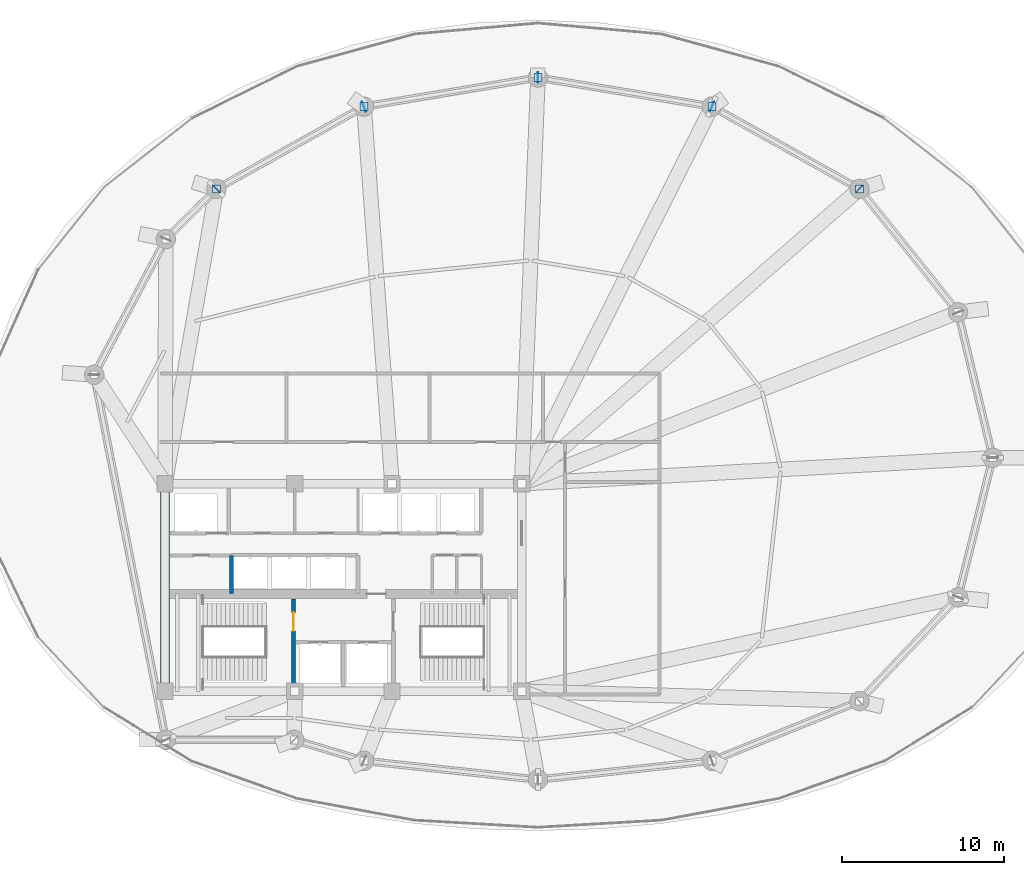
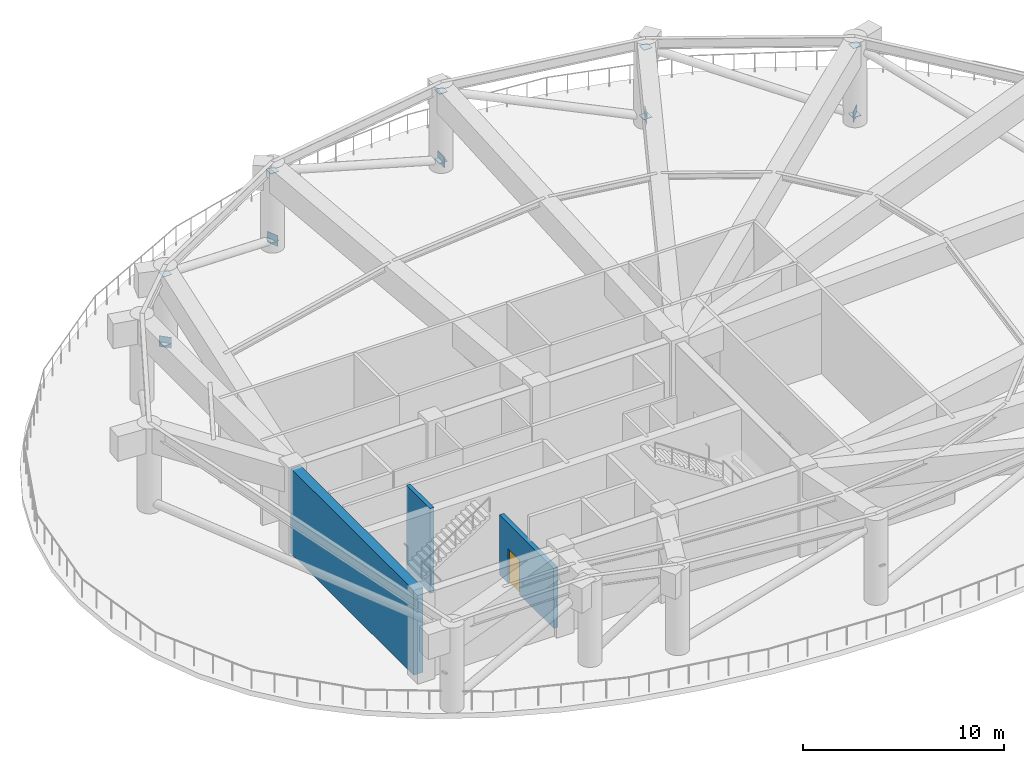
# One storey, part 5 of 9: 15 plates, 3 walls, 1 door, 1 opening.
"""IFC4 building model written with IfcOpenShell, lengths in metres."""

from ifc_helpers import new_model, si_unit, direction, frame, frame_2d, origin, origin_2d, place, context, subcontext, project, spatial, rectangle, extrude, material, layer, layer_set, type_object, element, fill, save


model = new_model("IFC4")

# Units and contexts
model_context = context("Model", 3, precision=1e-05, world=origin(), true_north=direction((0.0, 1.0)))
body_context = subcontext(model_context, "Body", "Model", "MODEL_VIEW")
ifc_project = project(units=[si_unit("LENGTHUNIT", "METRE"), si_unit("AREAUNIT", "SQUARE_METRE"), si_unit("VOLUMEUNIT", "CUBIC_METRE"), si_unit("PLANEANGLEUNIT", "RADIAN"), si_unit("MASSUNIT", "GRAM", prefix="KILO")], contexts=[model_context])

# Site, building, storey
site_placement = place(None, origin())
site = spatial("IfcSite", under=ifc_project, at=site_placement, CompositionType="ELEMENT")
building_placement = place(site_placement, origin())
building = spatial("IfcBuilding", under=site, at=building_placement, Name="Kazevale Care Tower and Concert Hall", CompositionType="ELEMENT")
storey_placement = place(building_placement, frame((0.0, 0.0, 181.800048828125)))
storey = spatial("IfcBuildingStorey", under=building, at=storey_placement, Name="L48", CompositionType="ELEMENT", Elevation=181.800048828125)

# Plates
ifc_material_1 = material(Name="Steel ASTM A572 Gr 50", Category="steel")
ifc_layer_1 = layer(ifc_material_1, 0.02490234375)
ifc_layer_set_1 = layer_set([ifc_layer_1], Name="Steel ASTM A572 Gr 50")
plate_type_1 = type_object("IfcPlateType", Name="Hollow Section End Cap Plate 25mm", PredefinedType="USERDEFINED", material=ifc_layer_set_1)
for number, where, z_axis, x_axis, name in (
    (1, (64.830078125, 54.580078125, 4.597412109375), (0.0, 0.0, 1.0), (1.0, 0.0, 0.0), "brace:L48:belt:02:cap1"),
    (2, (64.830078125, 54.580078125, 0.387451171875), (0.0, 0.0, 1.0), (1.0, 0.0, 0.0), "brace:L48:belt:03:cap0"),
    (3, (55.72998046875, 59.659912109375, 4.597412109375), (0.0, 0.0, 1.0), (1.0, 0.0, 0.0), "brace:L48:belt:03:cap1"),
    (4, (55.72998046875, 59.659912109375, 0.387451171875), (0.0, 0.0, 1.0), (1.0, 0.0, 0.0), "brace:L48:belt:04:cap0"),
    (5, (45.0, 61.449951171875, 4.597412109375), (0.0, 0.0, 1.0), (1.0, 0.0, 0.0), "brace:L48:belt:04:cap1"),
    (6, (45.0, 61.449951171875, 0.387451171875), (0.0, 0.0, 1.0), (1.0, 0.0, 0.0), "brace:L48:belt:05:cap0"),
    (7, (34.27001953125, 59.659912109375, 4.597412109375), (0.0, 0.0, 1.0), (1.0, 0.0, 0.0), "brace:L48:belt:05:cap1"),
    (8, (34.27001953125, 59.659912109375, 0.387451171875), (0.0, 0.0, 1.0), (1.0, 0.0, 0.0), "brace:L48:belt:06:cap0"),
    (9, (25.169921875, 54.580078125, 4.597412109375), (0.0, 0.0, 1.0), (1.0, 0.0, 0.0), "brace:L48:belt:06:cap1"),
    (10, (25.169921875, 54.580078125, 0.387451171875), (0.0, 0.0, 1.0), (1.0, 0.0, 0.0), "brace:L48:belt:07:cap0"),
):
    element("IfcPlate", number, at=place(storey_placement, frame(where, z_axis=z_axis, x_axis=x_axis)), inside=storey, type_object=plate_type_1, Name=name, ObjectType="END_CAP_PLATE", PredefinedType="USERDEFINED", context=body_context, shape_type="SweptSolid", body=[
        extrude(rectangle(XDim=0.47998046875, YDim=0.47998046875, at=origin_2d()), origin(), (0.0, 0.0, 1.0), 0.02490234375),
    ])
ifc_layer_2 = layer(ifc_material_1, 0.0400390625)
ifc_layer_set_2 = layer_set([ifc_layer_2], Name="Steel ASTM A572 Gr 50")
plate_type_2 = type_object("IfcPlateType", Name="Outrigger & Truss Gusset Plate 40mm", PredefinedType="USERDEFINED", material=ifc_layer_set_2)
for number, where, z_axis, x_axis, name in (
    (11, (64.830078125, 54.580078125, 0.125), (0.0, 0.0, 1.0), (0.707106781187, 0.707106781187, 0.0), "plate:L48:gusset:03"),
    (12, (55.72998046875, 59.659912109375, 0.125), (0.0, 0.0, 1.0), (0.382683432365, 0.923879532511, 0.0), "plate:L48:gusset:04"),
    (13, (45.0, 61.449951171875, 0.125), (0.0, 0.0, 1.0), (0.0, 1.0, 0.0), "plate:L48:gusset:05"),
    (14, (34.27001953125, 59.659912109375, 0.125), (0.0, 0.0, 1.0), (-0.382683432365, 0.923879532511, 0.0), "plate:L48:gusset:06"),
    (15, (25.169921875, 54.580078125, 0.125), (0.0, 0.0, 1.0), (-0.707106781187, 0.707106781187, 0.0), "plate:L48:gusset:07"),
):
    element("IfcPlate", number, at=place(storey_placement, frame(where, z_axis=z_axis, x_axis=x_axis)), inside=storey, type_object=plate_type_2, Name=name, ObjectType="GUSSET_PLATE", PredefinedType="USERDEFINED", context=body_context, shape_type="SweptSolid", body=[
        extrude(rectangle(XDim=0.64990234375, YDim=0.0400390625, at=origin_2d()), origin(), (0.0, 0.0, 1.0), 0.64990234375),
    ])

# Walls
ifc_material_2 = material(Name="Concrete C60", Category="concrete")
ifc_layer_3 = layer(ifc_material_2, 0.550048828125)
ifc_layer_set_3 = layer_set([ifc_layer_3], Name="Concrete C60")
wall_type_1 = type_object("IfcWallType", Name="Core Shear Wall 550 C60", PredefinedType="SHEAR", material=ifc_layer_set_3)
wall_1_placement = place(storey_placement, frame((22.0, 23.875, 0.0), z_axis=(0.0, 0.0, 1.0), x_axis=(0.0, 1.0, 0.0)))
element("IfcWall", 16, at=wall_1_placement, inside=storey, type_object=wall_type_1, Name="wall:L48:core:W", PredefinedType="SHEAR", context=body_context, shape_type="SweptSolid", body=[
    extrude(rectangle(XDim=12.25, YDim=0.550048828125, at=frame_2d((6.125, 0.0))), origin(), (0.0, 0.0, 1.0), 5.159912109375),
])
ifc_material_3 = material(Name="Concrete C40", Category="concrete")
ifc_layer_4 = layer(ifc_material_3, 0.219970703125)
ifc_layer_set_4 = layer_set([ifc_layer_4], Name="Concrete C40")
wall_type_2 = type_object("IfcWallType", Name="Elevator Hoistway Shaft Wall 220", PredefinedType="SOLIDWALL", material=ifc_layer_set_4)
wall_2_placement = place(storey_placement, frame((26.10009765625, 29.6201171875, 0.0), z_axis=(0.0, 0.0, 1.0), x_axis=(0.0, 1.0, 0.0)))
element("IfcWall", 17, at=wall_2_placement, inside=storey, type_object=wall_type_2, Name="wall:L48:c_ph_w", PredefinedType="SOLIDWALL", context=body_context, shape_type="SweptSolid", body=[
    extrude(rectangle(XDim=2.35986328125, YDim=0.219970703125, at=frame_2d((1.179931640625, 0.0))), origin(), (0.0, 0.0, 1.0), 5.159912109375),
])

# Wall, opening, door
ifc_layer_5 = layer(ifc_material_3, 0.25)
ifc_layer_set_5 = layer_set([ifc_layer_5], Name="Concrete C40")
wall_type_3 = type_object("IfcWallType", Name="Pressurized Stair Shaft Wall 250", PredefinedType="SOLIDWALL", material=ifc_layer_set_5)
wall_3_placement = place(storey_placement, frame((29.919921875, 23.89990234375, 0.0), z_axis=(0.0, 0.0, 1.0), x_axis=(0.0, 1.0, 0.0)))
wall_3 = element("IfcWall", 18, at=wall_3_placement, inside=storey, type_object=wall_type_3, Name="wall:L48:c_st1_e", PredefinedType="SOLIDWALL", context=body_context, shape_type="SweptSolid", body=[
    extrude(rectangle(XDim=5.400146484375, YDim=0.25, at=frame_2d((2.7001953125, 0.0))), origin(), (0.0, 0.0, 1.0), 3.64990234375),
])
opening_placement = place(wall_3_placement, frame((3.4208984375, 0.0, 0.0)))
opening = element("IfcOpeningElement", 19, at=opening_placement, cuts=wall_3, Name="Opening FD-90", PredefinedType="OPENING", context=body_context, shape_type="SweptSolid", body=[
    extrude(rectangle(XDim=1.14990234375, YDim=2.10009765625, at=frame_2d((0.574951171875, 1.050048828125))), frame((0.0, 0.135009765625, 0.0), z_axis=(0.0, -1.0, 0.0), x_axis=(1.0, 0.0, 0.0)), (0.0, 0.0, 1.0), 0.27001953125),
])
door_type = type_object("IfcDoorType", Name="Pressurized Stair & Lobby Fire Door 1150x2100", OperationType="NOTDEFINED", PredefinedType="DOOR", material=ifc_material_1)
door_placement = place(opening_placement, origin())
door = element("IfcDoor", 20, at=door_placement, inside=storey, type_object=door_type, Name="door:L48:st1", OperationType="SINGLE_SWING_RIGHT", OverallHeight=2.10009765625, OverallWidth=1.14990234375, PredefinedType="DOOR", context=body_context, shape_type="SweptSolid", body=[
    extrude(rectangle(XDim=1.14990234375, YDim=2.10009765625, at=frame_2d((0.574951171875, 1.050048828125))), frame((0.0, 0.02490234375, 0.0), z_axis=(0.0, -1.0, 0.0), x_axis=(1.0, 0.0, 0.0)), (0.0, 0.0, 1.0), 0.050048828125),
])
fill(opening, door)

save(model, "model.ifc")
